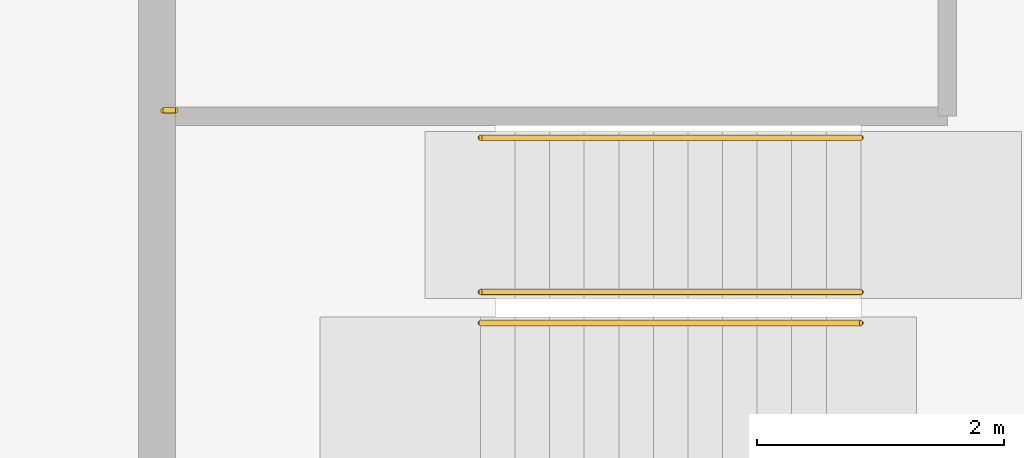
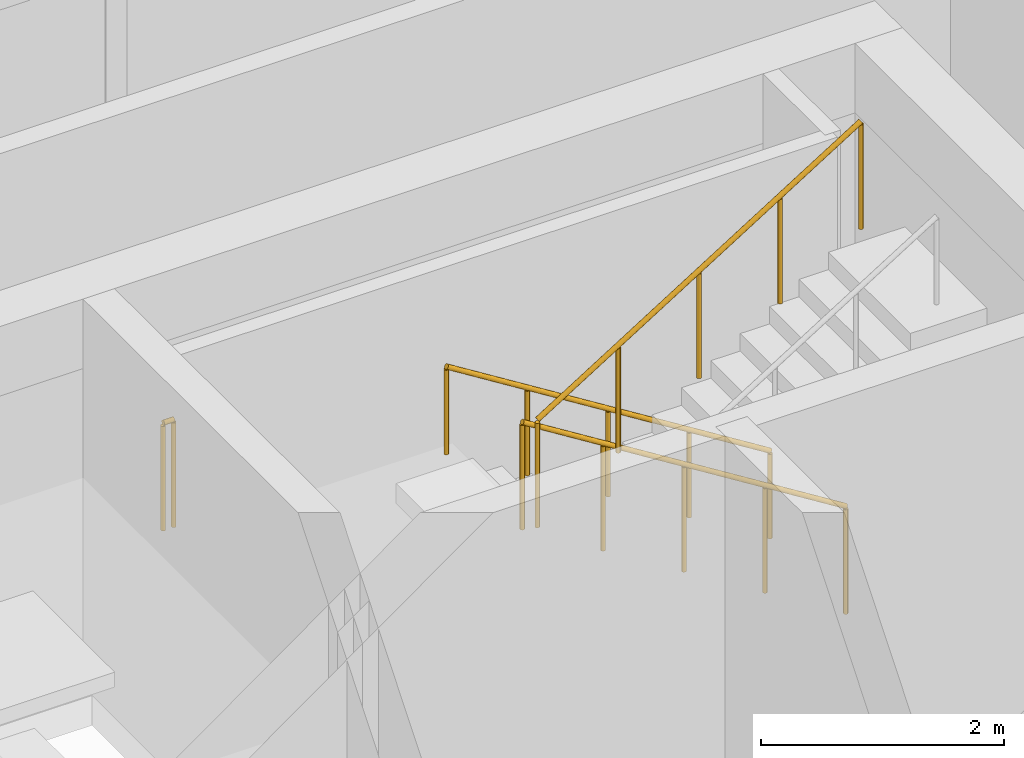
# One storey, part 19 of 20: 4 railings.
"""IFC4 building model written with IfcOpenShell, lengths in metres."""

import ifcopenshell
import ifcopenshell.guid

model = None  # the IFC model being written
_history = None  # IfcOwnerHistory: only IFC2X3 demands one
_inside = {}  # id of a spatial element -> (the spatial element, [elements in it])
_under = {}  # id of a project, library or spatial element -> (it, [spatial elements below it])
_declared = {}  # id of a project -> (the project, [libraries it declares])
_typed = {}  # id of a type object -> (the type object, [elements of that type])
_made_of = {}  # id of a material, layer set ... -> (it, [elements and type objects made of it])


def new_model(schema):
    """Start an empty IFC model of exactly this schema.

    Asked for "IFC4X3", IfcOpenShell would pick the latest addendum, in which some entities
    have other attributes; the version numbers below select the first issue.
    IFC2X3 requires an IfcOwnerHistory on every rooted entity: one is made here for all.
    """
    global model, _history
    if schema == "IFC4X3":
        model = ifcopenshell.file(schema_version=(4, 3, 0, 0))
    else:
        model = ifcopenshell.file(schema=schema)
    _inside.clear()
    _under.clear()
    _declared.clear()
    _typed.clear()
    _made_of.clear()
    _history = None
    if model.schema == "IFC2X3":
        org = make("IfcOrganization", Name="unknown")
        user = make(
            "IfcPersonAndOrganization",
            ThePerson=make("IfcPerson", FamilyName="unknown"),
            TheOrganization=org,
        )
        app = make(
            "IfcApplication",
            ApplicationDeveloper=org,
            Version="unknown",
            ApplicationFullName="unknown",
            ApplicationIdentifier="unknown",
        )
        _history = make(
            "IfcOwnerHistory",
            OwningUser=user,
            OwningApplication=app,
            ChangeAction="ADDED",
            CreationDate=0,
        )
    return model


def make(cls, **values):
    """One entity of the class cls with the attributes given. An attribute that is None is left unset."""
    return model.create_entity(
        cls, **{name: value for name, value in values.items() if value is not None}
    )


def rooted(cls, **values):
    """An entity with a GlobalId (a new one), such as an element, a storey or a relation."""
    return make(cls, GlobalId=ifcopenshell.guid.new(), OwnerHistory=_history, **values)


def si_unit(unit_type, name, prefix=None):
    """IfcSIUnit, for example si_unit("LENGTHUNIT", "METRE", prefix="MILLI")."""
    return make("IfcSIUnit", UnitType=unit_type, Prefix=prefix, Name=name)


def assignment(units):
    """IfcUnitAssignment: the units of a project."""
    return None if units is None else make("IfcUnitAssignment", Units=units)


def point(xyz):
    """IfcCartesianPoint."""
    return None if xyz is None else make("IfcCartesianPoint", Coordinates=xyz)


def direction(xyz):
    """IfcDirection."""
    return None if xyz is None else make("IfcDirection", DirectionRatios=xyz)


def frame(location, z_axis=None, x_axis=None):
    """IfcAxis2Placement3D, a coordinate frame: its origin and axes. An axis left out is left unset."""
    return make(
        "IfcAxis2Placement3D",
        Location=point(location),
        Axis=direction(z_axis),
        RefDirection=direction(x_axis),
    )


def frame_2d(location, x_axis=None):
    """IfcAxis2Placement2D, a coordinate frame in the plane: its origin and x axis."""
    return make(
        "IfcAxis2Placement2D", Location=point(location), RefDirection=direction(x_axis)
    )


def origin():
    """The frame at (0, 0, 0) with its axes left unset."""
    return frame((0.0, 0.0, 0.0))


def origin_2d():
    """The frame at (0, 0) in the plane with its x axis left unset."""
    return frame_2d((0.0, 0.0))


def place(relative_to, where):
    """IfcLocalPlacement: puts the frame where relative to a parent placement (None: the world)."""
    return make(
        "IfcLocalPlacement", PlacementRelTo=relative_to, RelativePlacement=where
    )


def context(
    kind, dimensions, precision=None, world=None, true_north=None, identifier=None
):
    """IfcGeometricRepresentationContext, for example the 3D "Model" context."""
    return make(
        "IfcGeometricRepresentationContext",
        ContextIdentifier=identifier,
        ContextType=kind,
        CoordinateSpaceDimension=dimensions,
        Precision=precision,
        WorldCoordinateSystem=world,
        TrueNorth=true_north,
    )


def subcontext(parent, identifier, kind, view, scale=None):
    """IfcGeometricRepresentationSubContext, for example "Body" below "Model"."""
    return make(
        "IfcGeometricRepresentationSubContext",
        ContextIdentifier=identifier,
        ContextType=kind,
        ParentContext=parent,
        TargetScale=scale,
        TargetView=view,
    )


def project(units=None, contexts=None):
    """IfcProject with its units and contexts."""
    return rooted(
        "IfcProject",
        Name="project",
        RepresentationContexts=contexts,
        UnitsInContext=assignment(units),
    )


def spatial(cls, under=None, at=None, **own):
    """A site, building, storey or space (cls), placed at a placement, below another one or the project."""
    s = rooted(cls, ObjectPlacement=at, **own)
    if under is not None:
        _under.setdefault(under.id(), (under, []))[1].append(s)
    return s


def profile(cls, at=None, kind="AREA", **sizes):
    """A parametric profile (cls). Its sizes go by their IFC names, for example OverallWidth=200.0."""
    return make(cls, ProfileType=kind, Position=at, **sizes)


def circle(**sizes):
    """IfcCircleProfileDef."""
    return profile("IfcCircleProfileDef", **sizes)


def extrude(swept, where, along, depth):
    """IfcExtrudedAreaSolid: the profile swept, set in the frame where, extruded along a direction by depth."""
    return make(
        "IfcExtrudedAreaSolid",
        SweptArea=swept,
        Position=where,
        ExtrudedDirection=direction(along),
        Depth=depth,
    )


def shape(context_of_items, identifier, shape_type, items):
    """IfcShapeRepresentation: the items that make up one representation, for example the "Body"."""
    return make(
        "IfcShapeRepresentation",
        ContextOfItems=context_of_items,
        RepresentationIdentifier=identifier,
        RepresentationType=shape_type,
        Items=items,
    )


def material(Name=None, Category=None):
    """IfcMaterial."""
    return make("IfcMaterial", Name=Name, Category=Category)


def made_of(thing, what):
    """Note that an element or type object is made of a material, layer set ...; save() writes the relation."""
    if what is not None:
        _made_of.setdefault(what.id(), (what, []))[1].append(thing)
    return thing


def type_object(cls, material=None, **own):
    """A type object (cls), such as IfcWallType, which elements share."""
    return made_of(rooted(cls, **own), material)


def element(
    cls,
    number,
    at=None,
    inside=None,
    cuts=None,
    type_object=None,
    material=None,
    context=None,
    identifier="Body",
    shape_type=None,
    held_by="IfcProductDefinitionShape",
    body=None,
    shapes=None,
    **own,
):
    """One element of the class cls, such as IfcWall. Its Tag is "e" and its number.

    at: its placement. inside: the storey or other place that contains it. cuts: it is an
    opening in that element (IfcRelVoidsElement). A single representation is given by context,
    identifier, shape_type and body (its items); several are given by shapes. held_by: the class
    of the entity that holds the representations. save() writes the other relations.
    """
    e = rooted(cls, Tag="e%d" % number, ObjectPlacement=at, **own)
    if body is not None:
        shapes = [shape(context, identifier, shape_type, body)]
    if shapes is not None:
        e.Representation = make(held_by, Representations=shapes)
    if inside is not None:
        _inside.setdefault(inside.id(), (inside, []))[1].append(e)
    if cuts is not None:
        rooted(
            "IfcRelVoidsElement", RelatingBuildingElement=cuts, RelatedOpeningElement=e
        )
    if type_object is not None:
        _typed.setdefault(type_object.id(), (type_object, []))[1].append(e)
    return made_of(e, material)


def aggregate(whole, parts):
    """IfcRelAggregates: a whole, such as a stair, and the parts it consists of."""
    return rooted("IfcRelAggregates", RelatingObject=whole, RelatedObjects=parts)


def save(model, path):
    """Write the relations noted so far, then the file.

    IfcRelAggregates (storeys below a building ...), IfcRelContainedInSpatialStructure (elements
    in a storey), IfcRelDefinesByType, IfcRelAssociatesMaterial and IfcRelDeclares: one each for
    every whole, place, type object, material and project.
    """
    for whole, parts in _under.values():
        aggregate(whole, parts)
    for where, things in _inside.values():
        rooted(
            "IfcRelContainedInSpatialStructure",
            RelatedElements=things,
            RelatingStructure=where,
        )
    for kind, things in _typed.values():
        rooted("IfcRelDefinesByType", RelatedObjects=things, RelatingType=kind)
    for what, things in _made_of.values():
        rooted("IfcRelAssociatesMaterial", RelatedObjects=things, RelatingMaterial=what)
    for by, libraries in _declared.values():
        rooted("IfcRelDeclares", RelatingContext=by, RelatedDefinitions=libraries)
    model.write(path)


model = new_model("IFC4")

# Units and contexts
model_context = context("Model", 3, precision=1e-05, world=origin(), true_north=direction((0.0, 1.0)))
body_context = subcontext(model_context, "Body", "Model", "MODEL_VIEW")
ifc_project = project(units=[si_unit("LENGTHUNIT", "METRE"), si_unit("AREAUNIT", "SQUARE_METRE"), si_unit("VOLUMEUNIT", "CUBIC_METRE"), si_unit("PLANEANGLEUNIT", "RADIAN"), si_unit("MASSUNIT", "GRAM", prefix="KILO")], contexts=[model_context])

# Site, building, storey
site_placement = place(None, origin())
site = spatial("IfcSite", under=ifc_project, at=site_placement, CompositionType="ELEMENT")
building_placement = place(site_placement, origin())
building = spatial("IfcBuilding", under=site, at=building_placement, Name="Windrow Commons", CompositionType="ELEMENT")
storey_placement = place(building_placement, frame((0.0, 0.0, 239.6)))
storey = spatial("IfcBuildingStorey", under=building, at=storey_placement, Name="L65", CompositionType="ELEMENT", Elevation=239.6)

# Railings
ifc_material_1 = material(Name="Steel S355", Category="steel")
railing_type_1 = type_object("IfcRailingType", Name="Core stair guard 1100", PredefinedType="GUARDRAIL", material=ifc_material_1)
railing_1_placement = place(storey_placement, frame((70.5, 62.355, 0.175)))
element("IfcRailing", 1, at=railing_1_placement, inside=storey, type_object=railing_type_1, Name="L65 ST-A2 stair guard 1", PredefinedType="GUARDRAIL", context=body_context, shape_type="SweptSolid", body=[
    extrude(circle(Radius=0.024, at=origin_2d()), frame((0.0, 0.0, 1.076), z_axis=(-0.847998304, 0.0, 0.52999894), x_axis=(0.0, -1.0, 0.0)), (0.0, 0.0, 1.0), 3.6321),
    extrude(circle(Radius=0.021, at=origin_2d()), origin(), (0.0, 0.0, 1.0), 1.052),
    extrude(circle(Radius=0.021, at=origin_2d()), frame((-0.77, 0.0, 0.4812)), (0.0, 0.0, 1.0), 1.052),
    extrude(circle(Radius=0.021, at=origin_2d()), frame((-1.54, 0.0, 0.9625)), (0.0, 0.0, 1.0), 1.052),
    extrude(circle(Radius=0.021, at=origin_2d()), frame((-2.31, 0.0, 1.4437)), (0.0, 0.0, 1.0), 1.052),
    extrude(circle(Radius=0.021, at=origin_2d()), frame((-3.08, 0.0, 1.925)), (0.0, 0.0, 1.0), 1.052),
])
railing_2_placement = place(storey_placement, frame((67.42, 62.105, 2.275)))
element("IfcRailing", 2, at=railing_2_placement, inside=storey, type_object=railing_type_1, Name="L65 ST-A2 stair guard 2", PredefinedType="GUARDRAIL", context=body_context, shape_type="SweptSolid", body=[
    extrude(circle(Radius=0.024, at=origin_2d()), frame((0.0, 0.0, 1.076), z_axis=(0.847998304, 0.0, 0.52999894), x_axis=(0.0, 1.0, 0.0)), (0.0, 0.0, 1.0), 3.6321),
    extrude(circle(Radius=0.021, at=origin_2d()), origin(), (0.0, 0.0, 1.0), 1.052),
    extrude(circle(Radius=0.021, at=origin_2d()), frame((0.77, 0.0, 0.4813)), (0.0, 0.0, 1.0), 1.052),
    extrude(circle(Radius=0.021, at=origin_2d()), frame((1.54, 0.0, 0.9625)), (0.0, 0.0, 1.0), 1.052),
    extrude(circle(Radius=0.021, at=origin_2d()), frame((2.31, 0.0, 1.4438)), (0.0, 0.0, 1.0), 1.052),
    extrude(circle(Radius=0.021, at=origin_2d()), frame((3.08, 0.0, 1.925)), (0.0, 0.0, 1.0), 1.052),
])
railing_3_placement = place(storey_placement, frame((64.95, 63.825, 2.1)))
element("IfcRailing", 3, at=railing_3_placement, inside=storey, type_object=railing_type_1, Name="L65 ST-A2 stair guard 3", PredefinedType="GUARDRAIL", context=body_context, shape_type="SweptSolid", body=[
    extrude(circle(Radius=0.024, at=origin_2d()), frame((0.0, 0.0, 1.076), z_axis=(-1.0, 0.0, 0.0), x_axis=(0.0, -1.0, 0.0)), (0.0, 0.0, 1.0), 0.1),
    extrude(circle(Radius=0.021, at=origin_2d()), origin(), (0.0, 0.0, 1.0), 1.052),
    extrude(circle(Radius=0.021, at=origin_2d()), frame((-0.1, 0.0, 0.0)), (0.0, 0.0, 1.0), 1.052),
])
ifc_material_2 = material(Name="Steel S355", Category="steel")
railing_type_2 = type_object("IfcRailingType", Name="Core stair handrail 900", PredefinedType="HANDRAIL", material=ifc_material_2)
railing_4_placement = place(storey_placement, frame((70.5, 63.605, 0.175)))
element("IfcRailing", 4, at=railing_4_placement, inside=storey, type_object=railing_type_2, Name="L65 ST-A2 stair handrail 1", PredefinedType="HANDRAIL", context=body_context, shape_type="SweptSolid", body=[
    extrude(circle(Radius=0.024, at=origin_2d()), frame((0.0, 0.0, 0.876), z_axis=(-0.847998304, 0.0, 0.52999894), x_axis=(0.0, -1.0, 0.0)), (0.0, 0.0, 1.0), 3.6321),
    extrude(circle(Radius=0.021, at=origin_2d()), origin(), (0.0, 0.0, 1.0), 0.852),
    extrude(circle(Radius=0.021, at=origin_2d()), frame((-0.77, 0.0, 0.4812)), (0.0, 0.0, 1.0), 0.852),
    extrude(circle(Radius=0.021, at=origin_2d()), frame((-1.54, 0.0, 0.9625)), (0.0, 0.0, 1.0), 0.852),
    extrude(circle(Radius=0.021, at=origin_2d()), frame((-2.31, 0.0, 1.4437)), (0.0, 0.0, 1.0), 0.852),
    extrude(circle(Radius=0.021, at=origin_2d()), frame((-3.08, 0.0, 1.925)), (0.0, 0.0, 1.0), 0.852),
])

save(model, "model.ifc")
